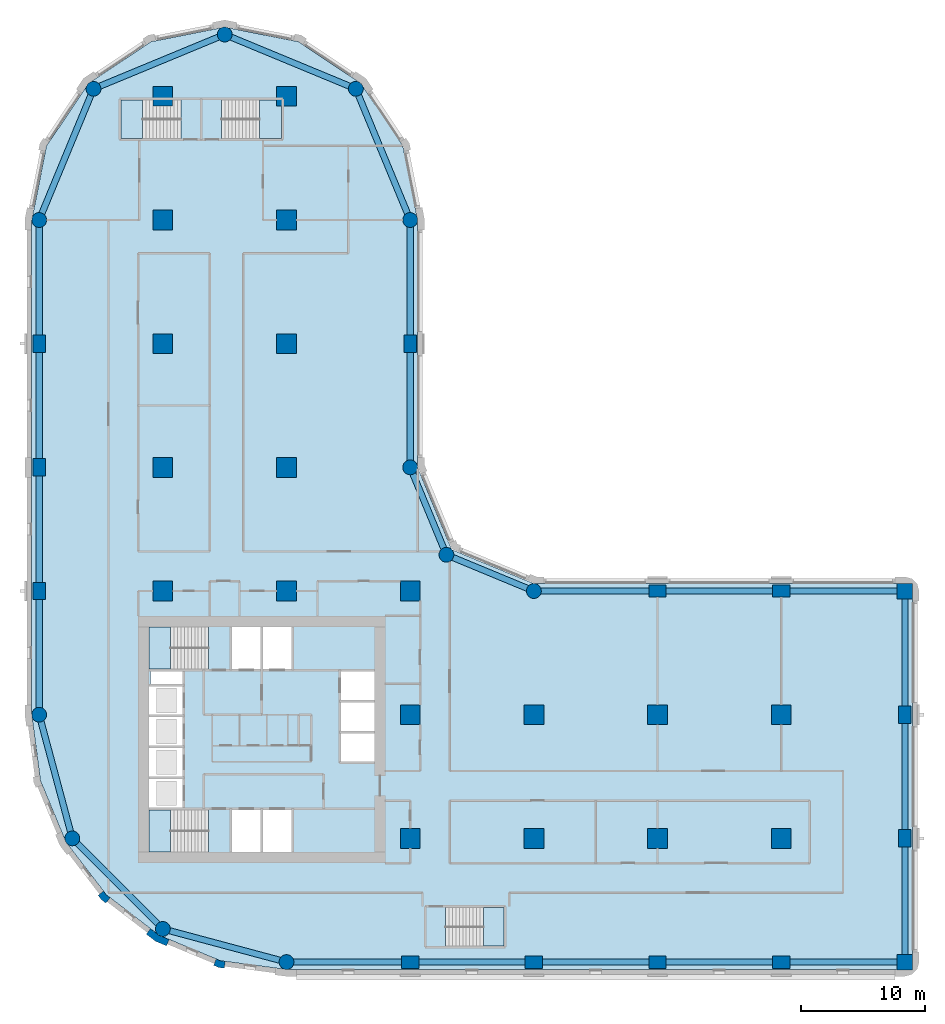
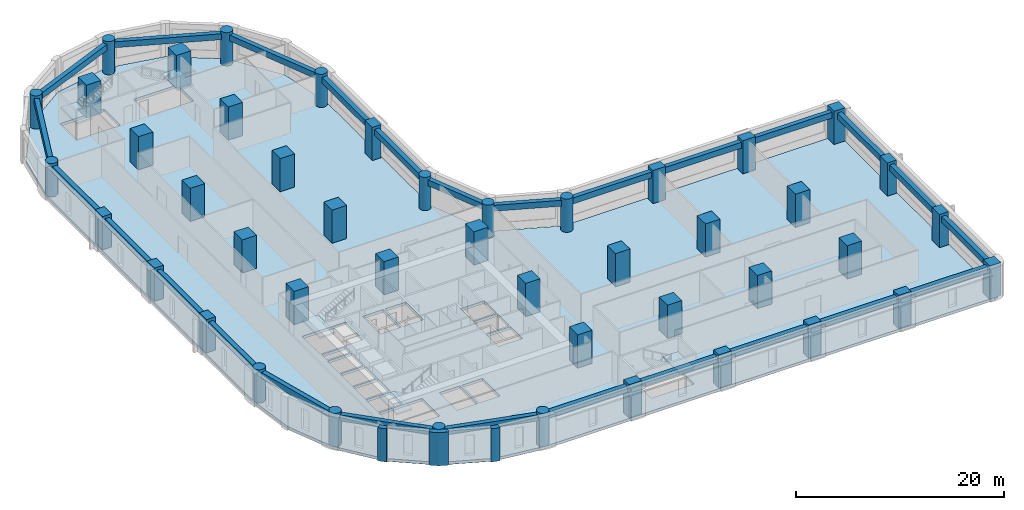
# One storey, part 1 of 10: 45 columns, 26 beams, 6 slabs, 3 walls, 5 elements without a shape of their own.
"""IFC4 building model written with IfcOpenShell, lengths in metres."""

from ifc_helpers import new_model, si_unit, direction, frame, origin, origin_2d, place, context, subcontext, project, spatial, polyline, rectangle, circle, outline, extrude, material, layer, layer_set, material_profile, profile_set, type_object, element, aggregate, save


model = new_model("IFC4")

# Units and contexts
model_context = context("Model", 3, precision=1e-05, world=origin(), true_north=direction((0.0, 1.0)))
body_context = subcontext(model_context, "Body", "Model", "MODEL_VIEW")
ifc_project = project(units=[si_unit("LENGTHUNIT", "METRE"), si_unit("AREAUNIT", "SQUARE_METRE"), si_unit("VOLUMEUNIT", "CUBIC_METRE"), si_unit("PLANEANGLEUNIT", "RADIAN"), si_unit("MASSUNIT", "GRAM", prefix="KILO")], contexts=[model_context])

# Site, building, storey
site_placement = place(None, origin())
site = spatial("IfcSite", under=ifc_project, at=site_placement, CompositionType="ELEMENT")
building_placement = place(site_placement, origin())
building = spatial("IfcBuilding", under=site, at=building_placement, Name="Qaws Garden Tower", CompositionType="ELEMENT")
storey_placement = place(building_placement, frame((0.0, 0.0, 43.199951171875)))
storey = spatial("IfcBuildingStorey", under=building, at=storey_placement, Name="L10", CompositionType="ELEMENT", Elevation=43.199951171875)

# Columns
ifc_material_1 = material(Name="Concrete C80", Category="concrete")
ifc_material_profile_1 = material_profile(ifc_material_1, rectangle(XDim=1.25, YDim=1.25, at=origin_2d()), Name="RC 1250x1250")
ifc_profile_set_1 = profile_set([ifc_material_profile_1], Name="Concrete C80")
column_type_1 = type_object("IfcColumnType", Name="Column RC 1250x1250 C80", PredefinedType="COLUMN", material=ifc_profile_set_1)
for number, where, z_axis, x_axis, name in (
    (1, (70.0, 0.0, 0.0), (0.0, 0.0, 1.0), (1.0, 0.0, 0.0), "Column L10-006"),
    (2, (70.0, 30.0, 0.0), (0.0, 0.0, 1.0), (1.0, 0.0, 0.0), "Column L10-009"),
):
    element("IfcColumn", number, at=place(storey_placement, frame(where, z_axis=z_axis, x_axis=x_axis)), inside=storey, type_object=column_type_1, Name=name, PredefinedType="COLUMN", context=body_context, shape_type="SweptSolid", body=[
        extrude(rectangle(XDim=1.25, YDim=1.25, at=origin_2d()), origin(), (0.0, 0.0, 1.0), 3.900146484375),
    ])
ifc_material_2 = material(Name="Concrete C80", Category="concrete")
ifc_material_profile_2 = material_profile(ifc_material_2, rectangle(XDim=1.39990234375, YDim=1.0, at=origin_2d()), Name="RC 1400x1000")
ifc_profile_set_2 = profile_set([ifc_material_profile_2], Name="Concrete C80")
column_type_2 = type_object("IfcColumnType", Name="Column RC 1400x1000 C80", PredefinedType="COLUMN", material=ifc_profile_set_2)
for number, where, z_axis, x_axis, name in (
    (3, (30.0, 0.0, 0.0), (0.0, 0.0, 1.0), (1.0, 0.0, 0.0), "Column L10-002"),
    (4, (40.0, 0.0, 0.0), (0.0, 0.0, 1.0), (1.0, 0.0, 0.0), "Column L10-003"),
    (5, (50.0, 0.0, 0.0), (0.0, 0.0, 1.0), (1.0, 0.0, 0.0), "Column L10-004"),
    (6, (60.0, 0.0, 0.0), (0.0, 0.0, 1.0), (1.0, 0.0, 0.0), "Column L10-005"),
    (7, (70.0, 10.0, 0.0), (0.0, 0.0, 1.0), (0.0, 1.0, 0.0), "Column L10-007"),
    (8, (70.0, 20.0, 0.0), (0.0, 0.0, 1.0), (0.0, 1.0, 0.0), "Column L10-008"),
    (9, (60.0, 30.0, 0.0), (0.0, 0.0, 1.0), (1.0, 0.0, 0.0), "Column L10-010"),
    (10, (50.0, 30.0, 0.0), (0.0, 0.0, 1.0), (1.0, 0.0, 0.0), "Column L10-011"),
    (11, (30.0, 50.0, 0.0), (0.0, 0.0, 1.0), (0.0, 1.0, 0.0), "Column L10-015"),
    (12, (0.0, 50.0, 0.0), (0.0, 0.0, 1.0), (0.0, 1.0, 0.0), "Column L10-021"),
    (13, (0.0, 40.0, 0.0), (0.0, 0.0, 1.0), (0.0, 1.0, 0.0), "Column L10-022"),
    (14, (0.0, 30.0, 0.0), (0.0, 0.0, 1.0), (0.0, 1.0, 0.0), "Column L10-023"),
):
    element("IfcColumn", number, at=place(storey_placement, frame(where, z_axis=z_axis, x_axis=x_axis)), inside=storey, type_object=column_type_2, Name=name, PredefinedType="COLUMN", context=body_context, shape_type="SweptSolid", body=[
        extrude(rectangle(XDim=1.39990234375, YDim=1.0, at=origin_2d()), origin(), (0.0, 0.0, 1.0), 3.900146484375),
    ])
ifc_material_3 = material(Name="Concrete C80", Category="concrete")
ifc_material_profile_3 = material_profile(ifc_material_3, rectangle(XDim=1.60009765625, YDim=1.60009765625, at=origin_2d()), Name="RC 1600x1600")
ifc_profile_set_3 = profile_set([ifc_material_profile_3], Name="Concrete C80")
column_type_3 = type_object("IfcColumnType", Name="Column RC 1600x1600 C80", PredefinedType="COLUMN", material=ifc_profile_set_3)
for number, where, z_axis, x_axis, name in (
    (15, (10.0, 30.0, 0.0), (0.0, 0.0, 1.0), (1.0, 0.0, 0.0), "Column L10-027"),
    (16, (10.0, 40.0, 0.0), (0.0, 0.0, 1.0), (1.0, 0.0, 0.0), "Column L10-028"),
    (17, (10.0, 50.0, 0.0), (0.0, 0.0, 1.0), (1.0, 0.0, 0.0), "Column L10-029"),
    (18, (10.0, 60.0, 0.0), (0.0, 0.0, 1.0), (1.0, 0.0, 0.0), "Column L10-030"),
    (19, (10.0, 70.0, 0.0), (0.0, 0.0, 1.0), (1.0, 0.0, 0.0), "Column L10-031"),
    (20, (20.0, 30.0, 0.0), (0.0, 0.0, 1.0), (1.0, 0.0, 0.0), "Column L10-032"),
    (21, (20.0, 40.0, 0.0), (0.0, 0.0, 1.0), (1.0, 0.0, 0.0), "Column L10-033"),
    (22, (20.0, 50.0, 0.0), (0.0, 0.0, 1.0), (1.0, 0.0, 0.0), "Column L10-034"),
    (23, (20.0, 60.0, 0.0), (0.0, 0.0, 1.0), (1.0, 0.0, 0.0), "Column L10-035"),
    (24, (20.0, 70.0, 0.0), (0.0, 0.0, 1.0), (1.0, 0.0, 0.0), "Column L10-036"),
    (25, (30.0, 10.0, 0.0), (0.0, 0.0, 1.0), (1.0, 0.0, 0.0), "Column L10-037"),
    (26, (30.0, 20.0, 0.0), (0.0, 0.0, 1.0), (1.0, 0.0, 0.0), "Column L10-038"),
    (27, (30.0, 30.0, 0.0), (0.0, 0.0, 1.0), (1.0, 0.0, 0.0), "Column L10-039"),
    (28, (40.0, 10.0, 0.0), (0.0, 0.0, 1.0), (1.0, 0.0, 0.0), "Column L10-040"),
    (29, (40.0, 20.0, 0.0), (0.0, 0.0, 1.0), (1.0, 0.0, 0.0), "Column L10-041"),
    (30, (50.0, 10.0, 0.0), (0.0, 0.0, 1.0), (1.0, 0.0, 0.0), "Column L10-042"),
    (31, (50.0, 20.0, 0.0), (0.0, 0.0, 1.0), (1.0, 0.0, 0.0), "Column L10-043"),
    (32, (60.0, 10.0, 0.0), (0.0, 0.0, 1.0), (1.0, 0.0, 0.0), "Column L10-044"),
    (33, (60.0, 20.0, 0.0), (0.0, 0.0, 1.0), (1.0, 0.0, 0.0), "Column L10-045"),
):
    element("IfcColumn", number, at=place(storey_placement, frame(where, z_axis=z_axis, x_axis=x_axis)), inside=storey, type_object=column_type_3, Name=name, PredefinedType="COLUMN", context=body_context, shape_type="SweptSolid", body=[
        extrude(rectangle(XDim=1.60009765625, YDim=1.60009765625, at=origin_2d()), origin(), (0.0, 0.0, 1.0), 3.900146484375),
    ])
ifc_material_4 = material(Name="Concrete C80", Category="concrete")
ifc_material_profile_4 = material_profile(ifc_material_4, circle(Radius=0.60009765625, at=origin_2d()), Name="RC D1200")
ifc_profile_set_4 = profile_set([ifc_material_profile_4], Name="Concrete C80")
column_type_4 = type_object("IfcColumnType", Name="Column RC D1200 C80", PredefinedType="COLUMN", material=ifc_profile_set_4)
for number, where, z_axis, x_axis, name in (
    (34, (20.0, 0.0, 0.0), (0.0, 0.0, 1.0), (1.0, 0.0, 0.0), "Column L10-001"),
    (35, (40.0, 30.0, 0.0), (0.0, 0.0, 1.0), (1.0, 0.0, 0.0), "Column L10-012"),
    (36, (32.928955078125, 32.928955078125, 0.0), (0.0, 0.0, 1.0), (1.0, 0.0, 0.0), "Column L10-013"),
    (37, (30.0, 40.0, 0.0), (0.0, 0.0, 1.0), (1.0, 0.0, 0.0), "Column L10-014"),
    (38, (30.0, 60.0, 0.0), (0.0, 0.0, 1.0), (1.0, 0.0, 0.0), "Column L10-016"),
    (39, (25.606689453125, 70.606689453125, 0.0), (0.0, 0.0, 1.0), (1.0, 0.0, 0.0), "Column L10-017"),
    (40, (15.0, 75.0, 0.0), (0.0, 0.0, 1.0), (1.0, 0.0, 0.0), "Column L10-018"),
    (41, (4.393310546875, 70.606689453125, 0.0), (0.0, 0.0, 1.0), (1.0, 0.0, 0.0), "Column L10-019"),
    (42, (0.0, 60.0, 0.0), (0.0, 0.0, 1.0), (1.0, 0.0, 0.0), "Column L10-020"),
    (43, (0.0, 20.0, 0.0), (0.0, 0.0, 1.0), (1.0, 0.0, 0.0), "Column L10-024"),
    (44, (2.679443359375, 10.0, 0.0), (0.0, 0.0, 1.0), (1.0, 0.0, 0.0), "Column L10-025"),
    (45, (10.0, 2.679443359375, 0.0), (0.0, 0.0, 1.0), (1.0, 0.0, 0.0), "Column L10-026"),
):
    element("IfcColumn", number, at=place(storey_placement, frame(where, z_axis=z_axis, x_axis=x_axis)), inside=storey, type_object=column_type_4, Name=name, PredefinedType="COLUMN", context=body_context, shape_type="SweptSolid", body=[
        extrude(circle(Radius=0.60009765625, at=origin_2d()), origin(), (0.0, 0.0, 1.0), 3.900146484375),
    ])

# Beams
ifc_material_5 = material(Name="Concrete C45", Category="concrete")
ifc_material_profile_5 = material_profile(ifc_material_5, rectangle(XDim=0.5, YDim=0.699951171875, at=origin_2d()), Name="RC 500x700")
ifc_profile_set_5 = profile_set([ifc_material_profile_5], Name="Concrete C45")
beam_type = type_object("IfcBeamType", Name="Spandrel beam RC 500x700 C45", PredefinedType="SPANDREL", material=ifc_profile_set_5)
for number, where, z_axis, x_axis, name in (
    (46, (20.0, 0.0, 3.22998046875), (1.0, 0.0, 0.0), (0.0, 1.0, 0.0), "Spandrel beam L10-001"),
    (47, (30.0, 0.0, 3.22998046875), (1.0, 0.0, 0.0), (0.0, 1.0, 0.0), "Spandrel beam L10-002"),
    (48, (40.0, 0.0, 3.22998046875), (1.0, 0.0, 0.0), (0.0, 1.0, 0.0), "Spandrel beam L10-003"),
    (49, (50.0, 0.0, 3.22998046875), (1.0, 0.0, 0.0), (0.0, 1.0, 0.0), "Spandrel beam L10-004"),
    (50, (60.0, 0.0, 3.22998046875), (1.0, 0.0, 0.0), (0.0, 1.0, 0.0), "Spandrel beam L10-005"),
    (51, (70.0, 0.0, 3.22998046875), (0.0, 1.0, 0.0), (-1.0, 0.0, 0.0), "Spandrel beam L10-006"),
    (52, (70.0, 10.0, 3.22998046875), (0.0, 1.0, 0.0), (-1.0, 0.0, 0.0), "Spandrel beam L10-007"),
    (53, (70.0, 20.0, 3.22998046875), (0.0, 1.0, 0.0), (-1.0, 0.0, 0.0), "Spandrel beam L10-008"),
    (54, (70.0, 30.0, 3.22998046875), (-1.0, 0.0, 0.0), (0.0, -1.0, 0.0), "Spandrel beam L10-009"),
    (55, (60.0, 30.0, 3.22998046875), (-1.0, 0.0, 0.0), (0.0, -1.0, 0.0), "Spandrel beam L10-010"),
    (56, (50.0, 30.0, 3.22998046875), (-1.0, 0.0, 0.0), (0.0, -1.0, 0.0), "Spandrel beam L10-011"),
):
    element("IfcBeam", number, at=place(storey_placement, frame(where, z_axis=z_axis, x_axis=x_axis)), inside=storey, type_object=beam_type, Name=name, PredefinedType="SPANDREL", context=body_context, shape_type="SweptSolid", body=[
        extrude(rectangle(XDim=0.5, YDim=0.699951171875, at=origin_2d()), origin(), (0.0, 0.0, 1.0), 10.0),
    ])
for number, where, z_axis, x_axis, name in (
    (57, (40.0, 30.0, 3.22998046875), (-0.923878037141, 0.382687042488, 0.0), (-0.382687042488, -0.923878037141, 0.0), "Spandrel beam L10-012"),
    (58, (32.928955078125, 32.928955078125, 3.22998046875), (-0.382687042488, 0.923878037141, 0.0), (-0.923878037141, -0.382687042488, 0.0), "Spandrel beam L10-013"),
):
    element("IfcBeam", number, at=place(storey_placement, frame(where, z_axis=z_axis, x_axis=x_axis)), inside=storey, type_object=beam_type, Name=name, PredefinedType="SPANDREL", context=body_context, shape_type="SweptSolid", body=[
        extrude(rectangle(XDim=0.5, YDim=0.699951171875, at=origin_2d()), origin(), (0.0, 0.0, 1.0), 7.653564453125),
    ])
for number, where, z_axis, x_axis, name in (
    (59, (30.0, 40.0, 3.22998046875), (0.0, 1.0, 0.0), (-1.0, 0.0, 0.0), "Spandrel beam L10-014"),
    (60, (30.0, 50.0, 3.22998046875), (0.0, 1.0, 0.0), (-1.0, 0.0, 0.0), "Spandrel beam L10-015"),
):
    element("IfcBeam", number, at=place(storey_placement, frame(where, z_axis=z_axis, x_axis=x_axis)), inside=storey, type_object=beam_type, Name=name, PredefinedType="SPANDREL", context=body_context, shape_type="SweptSolid", body=[
        extrude(rectangle(XDim=0.5, YDim=0.699951171875, at=origin_2d()), origin(), (0.0, 0.0, 1.0), 10.0),
    ])
for number, where, z_axis, x_axis, name in (
    (61, (30.0, 60.0, 3.22998046875), (-0.382674207535, 0.923883353507, 0.0), (-0.923883353507, -0.382674207535, 0.0), "Spandrel beam L10-016"),
    (62, (25.606689453125, 70.606689453125, 3.22998046875), (-0.923883353507, 0.382674207535, 0.0), (-0.382674207535, -0.923883353507, 0.0), "Spandrel beam L10-017"),
    (63, (15.0, 75.0, 3.22998046875), (-0.923883353507, -0.382674207535, 0.0), (0.382674207535, -0.923883353507, 0.0), "Spandrel beam L10-018"),
    (64, (4.393310546875, 70.606689453125, 3.22998046875), (-0.382674207535, -0.923883353507, 0.0), (0.923883353507, -0.382674207535, 0.0), "Spandrel beam L10-019"),
):
    element("IfcBeam", number, at=place(storey_placement, frame(where, z_axis=z_axis, x_axis=x_axis)), inside=storey, type_object=beam_type, Name=name, PredefinedType="SPANDREL", context=body_context, shape_type="SweptSolid", body=[
        extrude(rectangle(XDim=0.5, YDim=0.699951171875, at=origin_2d()), origin(), (0.0, 0.0, 1.0), 11.48046875),
    ])
for number, where, z_axis, x_axis, name in (
    (65, (0.0, 60.0, 3.22998046875), (0.0, -1.0, 0.0), (1.0, 0.0, 0.0), "Spandrel beam L10-020"),
    (66, (0.0, 50.0, 3.22998046875), (0.0, -1.0, 0.0), (1.0, 0.0, 0.0), "Spandrel beam L10-021"),
    (67, (0.0, 40.0, 3.22998046875), (0.0, -1.0, 0.0), (1.0, 0.0, 0.0), "Spandrel beam L10-022"),
    (68, (0.0, 30.0, 3.22998046875), (0.0, -1.0, 0.0), (1.0, 0.0, 0.0), "Spandrel beam L10-023"),
):
    element("IfcBeam", number, at=place(storey_placement, frame(where, z_axis=z_axis, x_axis=x_axis)), inside=storey, type_object=beam_type, Name=name, PredefinedType="SPANDREL", context=body_context, shape_type="SweptSolid", body=[
        extrude(rectangle(XDim=0.5, YDim=0.699951171875, at=origin_2d()), origin(), (0.0, 0.0, 1.0), 10.0),
    ])
for number, where, z_axis, x_axis, name in (
    (69, (0.0, 20.0, 3.22998046875), (0.25881466832, -0.965926999034, 0.0), (0.965926999034, 0.25881466832, 0.0), "Spandrel beam L10-024"),
    (70, (2.679443359375, 10.0, 3.22998046875), (0.707106781187, -0.707106781187, 0.0), (0.707106781187, 0.707106781187, 0.0), "Spandrel beam L10-025"),
    (71, (10.0, 2.679443359375, 3.22998046875), (0.965926999034, -0.25881466832, 0.0), (0.25881466832, 0.965926999034, 0.0), "Spandrel beam L10-026"),
):
    element("IfcBeam", number, at=place(storey_placement, frame(where, z_axis=z_axis, x_axis=x_axis)), inside=storey, type_object=beam_type, Name=name, PredefinedType="SPANDREL", context=body_context, shape_type="SweptSolid", body=[
        extrude(rectangle(XDim=0.5, YDim=0.699951171875, at=origin_2d()), origin(), (0.0, 0.0, 1.0), 10.352783203125),
    ])

# Slab
ifc_material_6 = material(Name="Concrete C40", Category="concrete")
ifc_layer_1 = layer(ifc_material_6, 0.320068359375)
ifc_layer_set_1 = layer_set([ifc_layer_1], Name="Concrete C40")
slab_type_1 = type_object("IfcSlabType", Name="Floor slab 320 C40", PredefinedType="FLOOR", material=ifc_layer_set_1)
slab_1_placement = place(storey_placement, frame((0.0, 0.0, -0.320068359375)))
element("IfcSlab", 72, at=slab_1_placement, inside=storey, type_object=slab_type_1, Name="Floor slab L10", PredefinedType="FLOOR", context=body_context, shape_type="SweptSolid", body=[
    extrude(outline(polyline([(0.101806640625, 14.668212890625), (-0.60009765625, 20.0), (-0.60009765625, 30.60009765625), (-0.60009765625, 60.0), (-0.60009765625, 60.0), (0.58740234375, 65.969970703125), (3.968994140625, 71.031005859375), (9.030029296875, 74.41259765625), (15.0, 75.60009765625), (20.969970703125, 74.41259765625), (26.031005859375, 71.031005859375), (29.41259765625, 65.969970703125), (30.60009765625, 60.0), (30.60009765625, 40.0), (33.353271484375, 33.353271484375), (40.0, 30.60009765625), (70.0, 30.60009765625), (70.42431640625, 30.42431640625), (70.60009765625, 30.0), (70.60009765625, 0.0), (70.42431640625, -0.42431640625), (70.0, -0.60009765625), (30.60009765625, -0.60009765625), (20.0, -0.60009765625), (14.668212890625, 0.101806640625), (9.699951171875, 2.159912109375), (5.43359375, 5.43359375), (2.159912109375, 9.699951171875), (0.101806640625, 14.668212890625)]), holes=[polyline([(13.699462890625, 12.300048828125), (8.89990234375, 12.300048828125), (8.89990234375, 8.89990234375), (13.699462890625, 8.89990234375), (13.699462890625, 12.300048828125)]), polyline([(17.89990234375, 12.300048828125), (15.60009765625, 12.300048828125), (15.60009765625, 8.89990234375), (17.89990234375, 8.89990234375), (17.89990234375, 12.300048828125)]), polyline([(11.60009765625, 14.800048828125), (8.89990234375, 14.800048828125), (8.89990234375, 12.5), (11.60009765625, 12.5), (11.60009765625, 14.800048828125)]), polyline([(11.60009765625, 17.300048828125), (8.89990234375, 17.300048828125), (8.89990234375, 15.0), (11.60009765625, 15.0), (11.60009765625, 17.300048828125)]), polyline([(11.60009765625, 19.800048828125), (8.89990234375, 19.800048828125), (8.89990234375, 17.5), (11.60009765625, 17.5), (11.60009765625, 19.800048828125)]), polyline([(11.60009765625, 22.300048828125), (8.89990234375, 22.300048828125), (8.89990234375, 20.0), (11.60009765625, 20.0), (11.60009765625, 22.300048828125)]), polyline([(11.60009765625, 23.5), (9.0, 23.5), (9.0, 22.5), (11.60009765625, 22.5), (11.60009765625, 23.5)]), polyline([(13.699462890625, 27.10009765625), (8.89990234375, 27.10009765625), (8.89990234375, 23.699951171875), (13.699462890625, 23.699951171875), (13.699462890625, 27.10009765625)]), polyline([(11.449462890625, 69.699951171875), (6.60009765625, 69.699951171875), (6.60009765625, 66.60009765625), (11.449462890625, 66.60009765625), (11.449462890625, 69.699951171875)]), polyline([(37.60009765625, 4.39990234375), (32.8505859375, 4.39990234375), (32.8505859375, 1.300048828125), (37.60009765625, 1.300048828125), (37.60009765625, 4.39990234375)]), polyline([(20.39990234375, 12.300048828125), (18.10009765625, 12.300048828125), (18.10009765625, 8.89990234375), (20.39990234375, 8.89990234375), (20.39990234375, 12.300048828125)]), polyline([(27.10009765625, 18.5), (24.39990234375, 18.5), (24.39990234375, 16.199951171875), (27.10009765625, 16.199951171875), (27.10009765625, 18.5)]), polyline([(27.10009765625, 21.0), (24.39990234375, 21.0), (24.39990234375, 18.699951171875), (27.10009765625, 18.699951171875), (27.10009765625, 21.0)]), polyline([(27.10009765625, 23.5), (24.39990234375, 23.5), (24.39990234375, 21.199951171875), (27.10009765625, 21.199951171875), (27.10009765625, 23.5)]), polyline([(17.89990234375, 27.10009765625), (15.60009765625, 27.10009765625), (15.60009765625, 23.699951171875), (17.89990234375, 23.699951171875), (17.89990234375, 27.10009765625)]), polyline([(20.39990234375, 23.699951171875), (20.39990234375, 27.10009765625), (18.10009765625, 27.10009765625), (18.10009765625, 23.699951171875), (20.39990234375, 23.699951171875)]), polyline([(19.60009765625, 66.60009765625), (19.60009765625, 69.699951171875), (14.75048828125, 69.699951171875), (14.75048828125, 66.60009765625), (19.60009765625, 66.60009765625)])]), origin(), (0.0, 0.0, 1.0), 0.320068359375),
])

# Stair, slab
ifc_material_7 = material(Name="Concrete C40", Category="concrete")
stair_type_1 = type_object("IfcStairType", Name="Exit stair 1500", PredefinedType="HALF_TURN_STAIR", material=ifc_material_7)
placement_1 = place(storey_placement, origin())
stair_1 = element("IfcStair", 73, at=placement_1, inside=storey, type_object=stair_type_1, Name="Stair 1", PredefinedType="HALF_TURN_STAIR")
ifc_material_8 = material(Name="Concrete C40", Category="concrete")
ifc_layer_2 = layer(ifc_material_8, 0.199951171875)
ifc_layer_set_2 = layer_set([ifc_layer_2], Name="Concrete C40")
slab_type_2 = type_object("IfcSlabType", Name="Stair landing 200", PredefinedType="LANDING", material=ifc_layer_set_2)
placement_2 = place(storey_placement, frame((0.0, 0.0, 1.75)))
slab_2 = element("IfcSlab", 74, at=placement_2, type_object=slab_type_2, Name="ST1 landing 1", PredefinedType="LANDING", context=body_context, shape_type="SweptSolid", body=[
    extrude(outline(polyline([(8.89990234375, 8.89990234375), (10.6201171875, 8.89990234375), (10.6201171875, 12.300048828125), (8.89990234375, 12.300048828125), (8.89990234375, 8.89990234375)])), origin(), (0.0, 0.0, 1.0), 0.199951171875),
])
aggregate(stair_1, [slab_2])

stair_2 = element("IfcStair", 75, at=placement_1, inside=storey, type_object=stair_type_1, Name="Stair 4", PredefinedType="HALF_TURN_STAIR")
slab_3 = element("IfcSlab", 76, at=placement_2, type_object=slab_type_2, Name="ST4 landing 1", PredefinedType="LANDING", context=body_context, shape_type="SweptSolid", body=[
    extrude(outline(polyline([(8.89990234375, 23.699951171875), (10.6201171875, 23.699951171875), (10.6201171875, 27.10009765625), (8.89990234375, 27.10009765625), (8.89990234375, 23.699951171875)])), origin(), (0.0, 0.0, 1.0), 0.199951171875),
])
aggregate(stair_2, [slab_3])

ifc_material_9 = material(Name="Concrete C40", Category="concrete")
stair_type_2 = type_object("IfcStairType", Name="Exit stair 1350", PredefinedType="HALF_TURN_STAIR", material=ifc_material_9)
stair_3 = element("IfcStair", 77, at=placement_1, inside=storey, type_object=stair_type_2, Name="Stair 5", PredefinedType="HALF_TURN_STAIR")
slab_4 = element("IfcSlab", 78, at=placement_2, type_object=slab_type_2, Name="ST5 landing 1", PredefinedType="LANDING", context=body_context, shape_type="SweptSolid", body=[
    extrude(outline(polyline([(35.929931640625, 1.300048828125), (37.60009765625, 1.300048828125), (37.60009765625, 4.39990234375), (35.929931640625, 4.39990234375), (35.929931640625, 1.300048828125)])), origin(), (0.0, 0.0, 1.0), 0.199951171875),
])
aggregate(stair_3, [slab_4])

stair_4 = element("IfcStair", 79, at=placement_1, inside=storey, type_object=stair_type_2, Name="Stair 6", PredefinedType="HALF_TURN_STAIR")
slab_5 = element("IfcSlab", 80, at=placement_2, type_object=slab_type_2, Name="ST6 landing 1", PredefinedType="LANDING", context=body_context, shape_type="SweptSolid", body=[
    extrude(outline(polyline([(6.60009765625, 66.60009765625), (8.3701171875, 66.60009765625), (8.3701171875, 69.699951171875), (6.60009765625, 69.699951171875), (6.60009765625, 66.60009765625)])), origin(), (0.0, 0.0, 1.0), 0.199951171875),
])
aggregate(stair_4, [slab_5])

stair_5 = element("IfcStair", 81, at=placement_1, inside=storey, type_object=stair_type_2, Name="Stair 7", PredefinedType="HALF_TURN_STAIR")
slab_6 = element("IfcSlab", 82, at=placement_2, type_object=slab_type_2, Name="ST7 landing 1", PredefinedType="LANDING", context=body_context, shape_type="SweptSolid", body=[
    extrude(outline(polyline([(17.830078125, 66.60009765625), (19.60009765625, 66.60009765625), (19.60009765625, 69.699951171875), (17.830078125, 69.699951171875), (17.830078125, 66.60009765625)])), origin(), (0.0, 0.0, 1.0), 0.199951171875),
])
aggregate(stair_5, [slab_6])

# Walls
ifc_material_10 = material(Name="Buff clay facing brick masonry", Category="masonry")
ifc_layer_3 = layer(ifc_material_10, 0.550048828125)
ifc_layer_set_3 = layer_set([ifc_layer_3], Name="Buff clay facing brick masonry")
wall_type_1 = type_object("IfcWallType", Name="Buff brick kink pier 550 x 600", PredefinedType="SOLIDWALL", material=ifc_layer_set_3)
element("IfcWall", 83, at=placement_1, inside=storey, type_object=wall_type_1, Name="E-L10-pier-30", PredefinedType="SOLIDWALL", context=body_context, shape_type="SweptSolid", body=[
    extrude(outline(polyline([(4.8818359375, 5.487060546875), (4.762939453125, 5.395751953125), (5.03759765625, 5.03759765625), (5.395751953125, 4.762939453125), (5.487060546875, 4.8818359375), (5.730712890625, 5.19921875), (5.429931640625, 5.429931640625), (5.19921875, 5.730712890625), (4.8818359375, 5.487060546875)])), origin(), (0.0, 0.0, 1.0), 3.900146484375),
])
element("IfcWall", 84, at=placement_1, inside=storey, type_object=wall_type_1, Name="E-L10-pier-32", PredefinedType="SOLIDWALL", context=body_context, shape_type="SweptSolid", body=[
    extrude(outline(polyline([(14.163818359375, -0.127685546875), (14.1064453125, -0.26611328125), (14.5234375, -0.43896484375), (14.970947265625, -0.497802734375), (14.990478515625, -0.34912109375), (15.042724609375, 0.04736328125), (14.6669921875, 0.096923828125), (14.31689453125, 0.241943359375), (14.163818359375, -0.127685546875)])), origin(), (0.0, 0.0, 1.0), 3.900146484375),
])
ifc_material_11 = material(Name="Buff clay facing brick masonry", Category="masonry")
ifc_layer_4 = layer(ifc_material_11, 0.550048828125)
ifc_layer_set_4 = layer_set([ifc_layer_4], Name="Buff clay facing brick masonry")
wall_type_2 = type_object("IfcWallType", Name="Buff brick pier 550 x 1600", PredefinedType="SOLIDWALL", material=ifc_layer_set_4)
element("IfcWall", 85, at=placement_1, inside=storey, type_object=wall_type_2, Name="E-L10-pier-31", PredefinedType="SOLIDWALL", context=body_context, shape_type="SweptSolid", body=[
    extrude(outline(polyline([(8.756591796875, 2.373046875), (8.665283203125, 2.254150390625), (9.419921875, 1.675048828125), (10.299072265625, 1.310791015625), (10.3564453125, 1.449462890625), (10.509521484375, 1.819091796875), (9.697509765625, 2.1552734375), (9.0, 2.6904296875), (8.756591796875, 2.373046875)])), origin(), (0.0, 0.0, 1.0), 3.900146484375),
])

save(model, "model.ifc")
